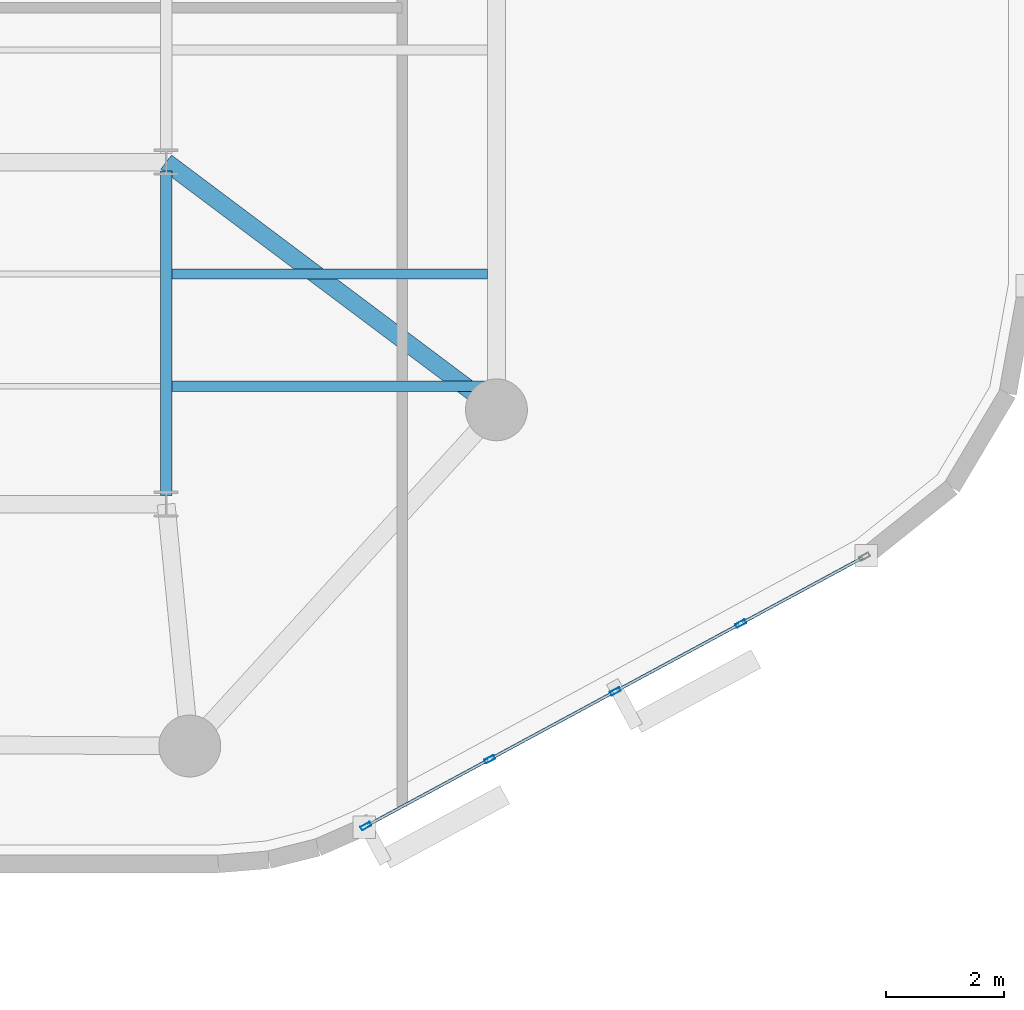
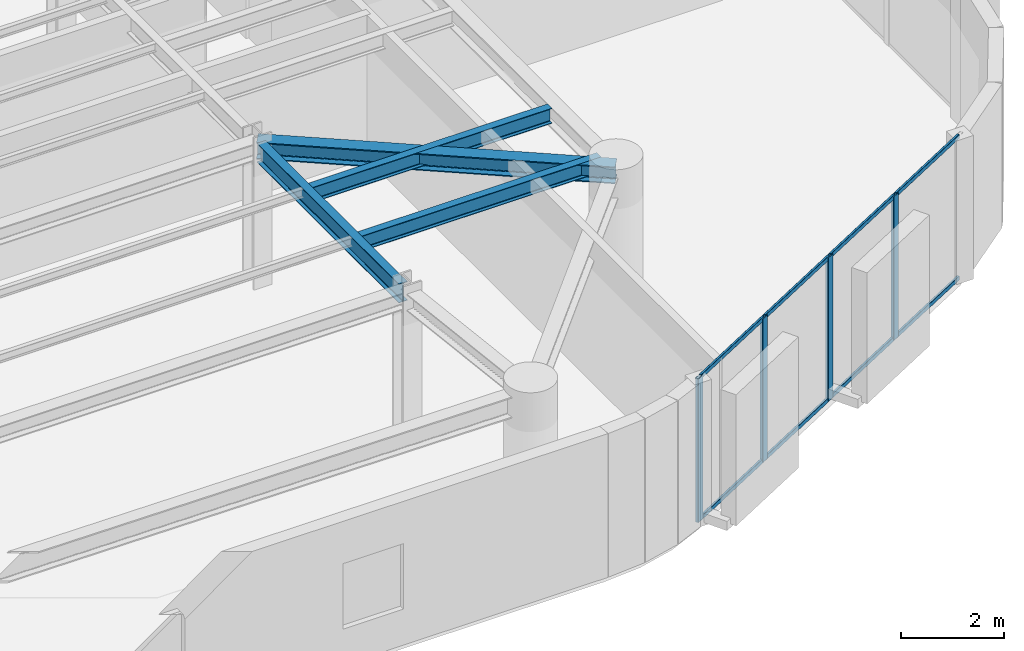
# One storey, part 2 of 13: 12 members, 4 beams, 1 element without a shape of its own.
"""IFC4 building model written with IfcOpenShell, lengths in metres."""

from ifc_helpers import new_model, si_unit, direction, frame, origin, origin_2d, place, context, subcontext, project, spatial, hollow_rectangle, i_section, extrude, material, layer, layer_set, material_profile, profile_set, type_object, element, aggregate, save


model = new_model("IFC4")

# Units and contexts
model_context = context("Model", 3, precision=1e-05, world=origin(), true_north=direction((0.0, 1.0)))
body_context = subcontext(model_context, "Body", "Model", "MODEL_VIEW")
ifc_project = project(units=[si_unit("LENGTHUNIT", "METRE"), si_unit("AREAUNIT", "SQUARE_METRE"), si_unit("VOLUMEUNIT", "CUBIC_METRE"), si_unit("PLANEANGLEUNIT", "RADIAN"), si_unit("MASSUNIT", "GRAM", prefix="KILO")], contexts=[model_context])

# Site, building, storey
site_placement = place(None, origin())
site = spatial("IfcSite", under=ifc_project, at=site_placement, CompositionType="ELEMENT")
building_placement = place(site_placement, origin())
building = spatial("IfcBuilding", under=site, at=building_placement, Name="An Khanh Terracotta Commons", CompositionType="ELEMENT")
storey_placement = place(building_placement, frame((0.0, 0.0, 201.300048828125)))
storey = spatial("IfcBuildingStorey", under=building, at=storey_placement, Name="L52", CompositionType="ELEMENT", Elevation=201.300048828125)

# Beams
ifc_material_1 = material(Name="Steel S355J2", Category="steel")
ifc_material_profile_1 = material_profile(ifc_material_1, i_section(OverallWidth=0.300048828125, OverallDepth=0.39990234375, WebThickness=0.013427734375, FlangeThickness=0.02392578125, FilletRadius=0.027099609375, at=origin_2d()), Name="HEB400")
ifc_profile_set_1 = profile_set([ifc_material_profile_1], Name="Steel S355J2")
beam_type_1 = type_object("IfcBeamType", Name="BM-HEB400", PredefinedType="BEAM", material=ifc_profile_set_1)
beam_1_placement = place(storey_placement, frame((59.60009765625, 16.0, 3.199951171875), z_axis=(-0.800008370399, 0.599988839305, 0.0), x_axis=(-0.599988839305, -0.800008370399, 0.0)))
element("IfcBeam", 1, at=beam_1_placement, inside=storey, type_object=beam_type_1, Name="L52 Mega-Column Tie Girder 3", PredefinedType="BEAM", context=body_context, shape_type="SweptSolid", body=[
    extrude(i_section(OverallWidth=0.300048828125, OverallDepth=0.39990234375, WebThickness=0.013427734375, FlangeThickness=0.02392578125, FilletRadius=0.027099609375, at=origin_2d()), origin(), (0.0, 0.0, 1.0), 7.0),
])
ifc_material_profile_2 = material_profile(ifc_material_1, i_section(OverallWidth=0.169921875, OverallDepth=0.360107421875, WebThickness=0.008056640625, FlangeThickness=0.0126953125, FilletRadius=0.01806640625, at=origin_2d()), Name="IPE360")
ifc_profile_set_2 = profile_set([ifc_material_profile_2], Name="Steel S355J2")
beam_type_2 = type_object("IfcBeamType", Name="BM-IPE360", PredefinedType="JOIST", material=ifc_profile_set_2)
for number, where, z_axis, x_axis, name in (
    (2, (54.094970703125, 16.39990234375, 3.219970703125), (1.0, 0.0, 0.0), (0.0, 1.0, 0.0), "L52 Riverfront Composite Joist 1"),
    (3, (54.094970703125, 18.300048828125, 3.219970703125), (1.0, 0.0, 0.0), (0.0, 1.0, 0.0), "L52 Riverfront Composite Joist 2"),
):
    element("IfcBeam", number, at=place(storey_placement, frame(where, z_axis=z_axis, x_axis=x_axis)), inside=storey, type_object=beam_type_2, Name=name, PredefinedType="JOIST", context=body_context, shape_type="SweptSolid", body=[
        extrude(i_section(OverallWidth=0.169921875, OverallDepth=0.360107421875, WebThickness=0.008056640625, FlangeThickness=0.0126953125, FilletRadius=0.01806640625, at=origin_2d()), origin(), (0.0, 0.0, 1.0), 5.35498046875),
    ])
ifc_material_profile_3 = material_profile(ifc_material_1, i_section(OverallWidth=0.18994140625, OverallDepth=0.449951171875, WebThickness=0.009521484375, FlangeThickness=0.0146484375, FilletRadius=0.02099609375, at=origin_2d()), Name="IPE450")
ifc_profile_set_3 = profile_set([ifc_material_profile_3], Name="Steel S355J2")
beam_type_3 = type_object("IfcBeamType", Name="BM-IPE450", PredefinedType="JOIST", material=ifc_profile_set_3)
beam_2_placement = place(storey_placement, frame((54.0, 14.550048828125, 3.175048828125), z_axis=(0.0, 1.0, 0.0), x_axis=(-1.0, 0.0, 0.0)))
element("IfcBeam", 4, at=beam_2_placement, inside=storey, type_object=beam_type_3, Name="L52 East Spine Girder 1", PredefinedType="JOIST", context=body_context, shape_type="SweptSolid", body=[
    extrude(i_section(OverallWidth=0.18994140625, OverallDepth=0.449951171875, WebThickness=0.009521484375, FlangeThickness=0.0146484375, FilletRadius=0.02099609375, at=origin_2d()), origin(), (0.0, 0.0, 1.0), 5.5),
])

# Curtain wall, members
ifc_material_2 = material(Name="Anodised Aluminium 6063-T6", Category="aluminium")
ifc_layer = layer(ifc_material_2, 0.2099609375, Name="Anodised Aluminium 6063-T6")
ifc_layer_set = layer_set([ifc_layer], Name="Anodised Aluminium 6063-T6")
curtain_wall_type = type_object("IfcCurtainWallType", Name="CW-SYS-03", PredefinedType="USERDEFINED", material=ifc_layer_set)
curtain_wall_placement = place(storey_placement, origin())
curtain_wall = element("IfcCurtainWall", 5, at=curtain_wall_placement, inside=storey, type_object=curtain_wall_type, Name="L52 CW-03 Unitised Curtain Wall CW-L52-08", ObjectType="UNITISED CURTAIN WALL", PredefinedType="USERDEFINED")
ifc_material_profile_4 = material_profile(ifc_material_2, hollow_rectangle(XDim=0.070068359375, YDim=0.179931640625, WallThickness=0.00390625, InnerFilletRadius=0.00390625, OuterFilletRadius=0.008056640625, at=origin_2d()), Name="RHS180x70x4")
ifc_profile_set_4 = profile_set([ifc_material_profile_4], Name="Anodised Aluminium 6063-T6")
member_type_1 = type_object("IfcMemberType", Name="CWM-RHS180x70x4", PredefinedType="MULLION", material=ifc_profile_set_4)
member_1_placement = place(storey_placement, frame((57.3876953125, 8.941650390625, 0.0), z_axis=(0.0, 0.0, 1.0), x_axis=(-0.47538088298, 0.879780095306, 0.0)))
member_1 = element("IfcMember", 6, at=member_1_placement, type_object=member_type_1, Name="CW-03 mullion 1", PredefinedType="MULLION", context=body_context, shape_type="SweptSolid", body=[
    extrude(hollow_rectangle(XDim=0.070068359375, YDim=0.179931640625, WallThickness=0.00390625, InnerFilletRadius=0.00390625, OuterFilletRadius=0.008056640625, at=origin_2d()), origin(), (0.0, 0.0, 1.0), 3.39990234375),
])
member_2_placement = place(storey_placement, frame((59.48583984375, 10.0751953125, 0.0), z_axis=(0.0, 0.0, 1.0), x_axis=(-0.47538088298, 0.879780095306, 0.0)))
member_2 = element("IfcMember", 7, at=member_2_placement, type_object=member_type_1, Name="CW-03 mullion 2", PredefinedType="MULLION", context=body_context, shape_type="SweptSolid", body=[
    extrude(hollow_rectangle(XDim=0.070068359375, YDim=0.179931640625, WallThickness=0.00390625, InnerFilletRadius=0.00390625, OuterFilletRadius=0.008056640625, at=origin_2d()), origin(), (0.0, 0.0, 1.0), 3.39990234375),
])
member_3_placement = place(storey_placement, frame((61.614501953125, 11.2255859375, 0.0), z_axis=(0.0, 0.0, 1.0), x_axis=(-0.47538088298, 0.879780095306, 0.0)))
member_3 = element("IfcMember", 8, at=member_3_placement, type_object=member_type_1, Name="CW-03 mullion 3", PredefinedType="MULLION", context=body_context, shape_type="SweptSolid", body=[
    extrude(hollow_rectangle(XDim=0.070068359375, YDim=0.179931640625, WallThickness=0.00390625, InnerFilletRadius=0.00390625, OuterFilletRadius=0.008056640625, at=origin_2d()), origin(), (0.0, 0.0, 1.0), 3.39990234375),
])
member_4_placement = place(storey_placement, frame((63.7431640625, 12.375732421875, 0.0), z_axis=(0.0, 0.0, 1.0), x_axis=(-0.47538088298, 0.879780095306, 0.0)))
member_4 = element("IfcMember", 9, at=member_4_placement, type_object=member_type_1, Name="CW-03 mullion 4", PredefinedType="MULLION", context=body_context, shape_type="SweptSolid", body=[
    extrude(hollow_rectangle(XDim=0.070068359375, YDim=0.179931640625, WallThickness=0.00390625, InnerFilletRadius=0.00390625, OuterFilletRadius=0.008056640625, at=origin_2d()), origin(), (0.0, 0.0, 1.0), 3.39990234375),
])
ifc_material_profile_5 = material_profile(ifc_material_2, hollow_rectangle(XDim=0.050048828125, YDim=0.10009765625, WallThickness=0.003173828125, InnerFilletRadius=0.003173828125, OuterFilletRadius=0.00634765625, at=origin_2d()), Name="RHS100x50x3.2")
ifc_profile_set_5 = profile_set([ifc_material_profile_5], Name="Anodised Aluminium 6063-T6")
member_type_2 = type_object("IfcMemberType", Name="CWT-RHS100x50x3.2", PredefinedType="USERDEFINED", material=ifc_profile_set_5)
member_5_placement = place(storey_placement, frame((57.418701171875, 8.958251953125, 0.02490234375), z_axis=(0.879779245677, 0.475382455373, 0.0), x_axis=(-0.475382455373, 0.879779245677, 0.0)))
member_5 = element("IfcMember", 10, at=member_5_placement, type_object=member_type_2, Name="CW-03 transom 1.1", ObjectType="TRANSOM", PredefinedType="USERDEFINED", context=body_context, shape_type="SweptSolid", body=[
    extrude(hollow_rectangle(XDim=0.050048828125, YDim=0.10009765625, WallThickness=0.003173828125, InnerFilletRadius=0.003173828125, OuterFilletRadius=0.00634765625, at=origin_2d()), origin(), (0.0, 0.0, 1.0), 2.314697265625),
])
member_6_placement = place(storey_placement, frame((57.418701171875, 8.958251953125, 3.375), z_axis=(0.879779245677, 0.475382455373, 0.0), x_axis=(-0.475382455373, 0.879779245677, 0.0)))
member_6 = element("IfcMember", 11, at=member_6_placement, type_object=member_type_2, Name="CW-03 transom 1.2", ObjectType="TRANSOM", PredefinedType="USERDEFINED", context=body_context, shape_type="SweptSolid", body=[
    extrude(hollow_rectangle(XDim=0.050048828125, YDim=0.10009765625, WallThickness=0.003173828125, InnerFilletRadius=0.003173828125, OuterFilletRadius=0.00634765625, at=origin_2d()), origin(), (0.0, 0.0, 1.0), 2.314697265625),
])
member_7_placement = place(storey_placement, frame((59.5166015625, 10.091796875, 0.02490234375), z_axis=(0.879782861449, 0.475375763686, 0.0), x_axis=(-0.475375763686, 0.879782861449, 0.0)))
member_7 = element("IfcMember", 12, at=member_7_placement, type_object=member_type_2, Name="CW-03 transom 2.1", ObjectType="TRANSOM", PredefinedType="USERDEFINED", context=body_context, shape_type="SweptSolid", body=[
    extrude(hollow_rectangle(XDim=0.050048828125, YDim=0.10009765625, WallThickness=0.003173828125, InnerFilletRadius=0.003173828125, OuterFilletRadius=0.00634765625, at=origin_2d()), origin(), (0.0, 0.0, 1.0), 2.349609375),
])
member_8_placement = place(storey_placement, frame((59.5166015625, 10.091796875, 3.375), z_axis=(0.879782861449, 0.475375763686, 0.0), x_axis=(-0.475375763686, 0.879782861449, 0.0)))
member_8 = element("IfcMember", 13, at=member_8_placement, type_object=member_type_2, Name="CW-03 transom 2.2", ObjectType="TRANSOM", PredefinedType="USERDEFINED", context=body_context, shape_type="SweptSolid", body=[
    extrude(hollow_rectangle(XDim=0.050048828125, YDim=0.10009765625, WallThickness=0.003173828125, InnerFilletRadius=0.003173828125, OuterFilletRadius=0.00634765625, at=origin_2d()), origin(), (0.0, 0.0, 1.0), 2.349609375),
])
member_9_placement = place(storey_placement, frame((61.645263671875, 11.2421875, 0.02490234375), z_axis=(0.879782861449, 0.475375763686, 0.0), x_axis=(-0.475375763686, 0.879782861449, 0.0)))
member_9 = element("IfcMember", 14, at=member_9_placement, type_object=member_type_2, Name="CW-03 transom 3.1", ObjectType="TRANSOM", PredefinedType="USERDEFINED", context=body_context, shape_type="SweptSolid", body=[
    extrude(hollow_rectangle(XDim=0.050048828125, YDim=0.10009765625, WallThickness=0.003173828125, InnerFilletRadius=0.003173828125, OuterFilletRadius=0.00634765625, at=origin_2d()), origin(), (0.0, 0.0, 1.0), 2.349609375),
])
member_10_placement = place(storey_placement, frame((61.645263671875, 11.2421875, 3.375), z_axis=(0.879782861449, 0.475375763686, 0.0), x_axis=(-0.475375763686, 0.879782861449, 0.0)))
member_10 = element("IfcMember", 15, at=member_10_placement, type_object=member_type_2, Name="CW-03 transom 3.2", ObjectType="TRANSOM", PredefinedType="USERDEFINED", context=body_context, shape_type="SweptSolid", body=[
    extrude(hollow_rectangle(XDim=0.050048828125, YDim=0.10009765625, WallThickness=0.003173828125, InnerFilletRadius=0.003173828125, OuterFilletRadius=0.00634765625, at=origin_2d()), origin(), (0.0, 0.0, 1.0), 2.349609375),
])
member_11_placement = place(storey_placement, frame((63.77392578125, 12.392333984375, 0.02490234375), z_axis=(0.879779245677, 0.475382455373, 0.0), x_axis=(-0.475382455373, 0.879779245677, 0.0)))
member_11 = element("IfcMember", 16, at=member_11_placement, type_object=member_type_2, Name="CW-03 transom 4.1", ObjectType="TRANSOM", PredefinedType="USERDEFINED", context=body_context, shape_type="SweptSolid", body=[
    extrude(hollow_rectangle(XDim=0.050048828125, YDim=0.10009765625, WallThickness=0.003173828125, InnerFilletRadius=0.003173828125, OuterFilletRadius=0.00634765625, at=origin_2d()), origin(), (0.0, 0.0, 1.0), 2.314697265625),
])
member_12_placement = place(storey_placement, frame((63.77392578125, 12.392333984375, 3.375), z_axis=(0.879779245677, 0.475382455373, 0.0), x_axis=(-0.475382455373, 0.879779245677, 0.0)))
member_12 = element("IfcMember", 17, at=member_12_placement, type_object=member_type_2, Name="CW-03 transom 4.2", ObjectType="TRANSOM", PredefinedType="USERDEFINED", context=body_context, shape_type="SweptSolid", body=[
    extrude(hollow_rectangle(XDim=0.050048828125, YDim=0.10009765625, WallThickness=0.003173828125, InnerFilletRadius=0.003173828125, OuterFilletRadius=0.00634765625, at=origin_2d()), origin(), (0.0, 0.0, 1.0), 2.314697265625),
])
aggregate(curtain_wall, [member_1, member_2, member_3, member_4, member_5, member_6, member_7, member_8, member_9, member_10, member_11, member_12])

save(model, "model.ifc")
